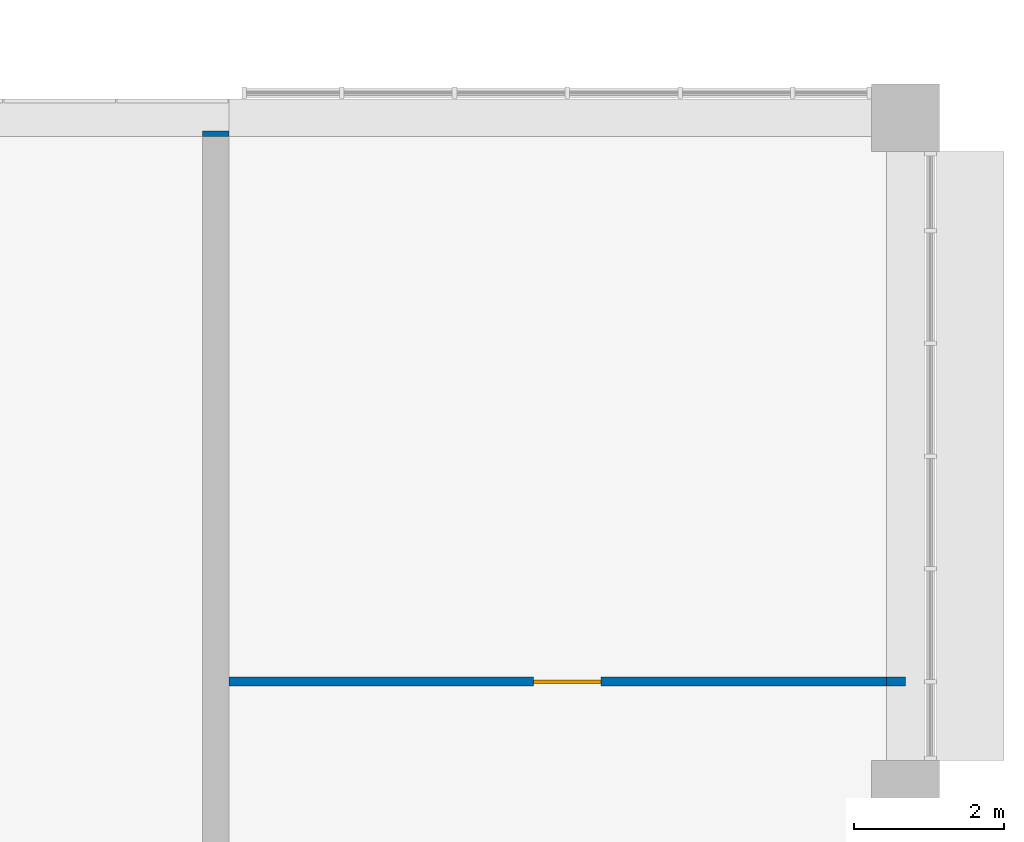
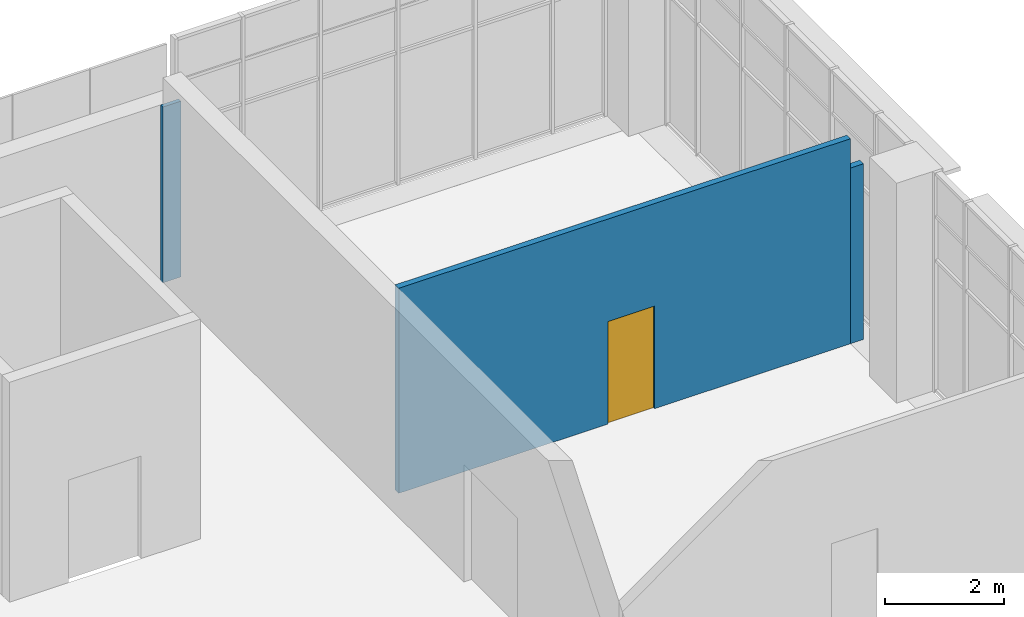
# One storey, part 60 of 79: 3 walls, 1 door, 1 opening.
"""IFC4 building model written with IfcOpenShell, lengths in metres."""

from ifc_helpers import new_model, si_unit, direction, frame, frame_2d, origin, place, context, subcontext, project, spatial, rectangle, extrude, material, layer, layer_set, type_object, element, fill, save


model = new_model("IFC4")

# Units and contexts
model_context = context("Model", 3, precision=1e-05, world=origin(), true_north=direction((0.0, 1.0)))
body_context = subcontext(model_context, "Body", "Model", "MODEL_VIEW")
ifc_project = project(units=[si_unit("LENGTHUNIT", "METRE"), si_unit("AREAUNIT", "SQUARE_METRE"), si_unit("VOLUMEUNIT", "CUBIC_METRE"), si_unit("PLANEANGLEUNIT", "RADIAN"), si_unit("MASSUNIT", "GRAM", prefix="KILO")], contexts=[model_context])

# Site, building, storey
site_placement = place(None, origin())
site = spatial("IfcSite", under=ifc_project, at=site_placement, CompositionType="ELEMENT")
building_placement = place(site_placement, origin())
building = spatial("IfcBuilding", under=site, at=building_placement, Name="Guidao Yard Department Store", CompositionType="ELEMENT")
storey_placement = place(building_placement, frame((0.0, 0.0, 15.0)))
storey = spatial("IfcBuildingStorey", under=building, at=storey_placement, Name="L03", CompositionType="ELEMENT", Elevation=15.0)

# Wall, opening, door
ifc_material_1 = material(Name="Gypsum Board")
ifc_layer_1 = layer(ifc_material_1, 0.1201171875)
ifc_layer_set_1 = layer_set([ifc_layer_1], Name="Partition 120 Gypsum Board EI 45")
wall_type_1 = type_object("IfcWallType", Name="Partition 120 Gypsum Board EI 45", PredefinedType="PARTITIONING", material=ifc_layer_set_1)
wall_1_placement = place(storey_placement, frame((162.0, 19.5, 0.0), z_axis=(0.0, 0.0, 1.0), x_axis=(1.0, 0.0, 0.0)))
wall_1 = element("IfcWall", 1, at=wall_1_placement, inside=storey, type_object=wall_type_1, Name="pt.wall.L03.0012", PredefinedType="PARTITIONING", context=body_context, shape_type="SweptSolid", body=[
    extrude(rectangle(XDim=8.75, YDim=0.1201171875, at=frame_2d((4.375, 0.0))), origin(), (0.0, 0.0, 1.0), 4.199951171875),
])
opening_placement = place(wall_1_placement, frame((4.949951171875, 0.0, 0.0), z_axis=(0.0, 0.0, 1.0), x_axis=(-1.0, 0.0, 0.0)))
opening = element("IfcOpeningElement", 2, at=opening_placement, cuts=wall_1, Name="Opening L03-417", PredefinedType="OPENING", context=body_context, shape_type="SweptSolid", body=[
    extrude(rectangle(XDim=0.89990234375, YDim=2.10009765625, at=frame_2d((0.449951171875, 1.050048828125))), frame((0.0, 0.070068359375, 0.0), z_axis=(0.0, -1.0, 0.0), x_axis=(1.0, 0.0, 0.0)), (0.0, 0.0, 1.0), 0.14013671875),
])
ifc_material_2 = material(Name="Timber door leaf with Steel Q235 frame", Category="steel")
door_type = type_object("IfcDoorType", Name="Door 900 x 2100 NOT RATED Single Leaf", OperationType="SINGLE_SWING_LEFT", PredefinedType="DOOR", material=ifc_material_2)
door_placement = place(opening_placement, origin())
door = element("IfcDoor", 3, at=door_placement, inside=storey, type_object=door_type, Name="Door L03-417", OperationType="SINGLE_SWING_LEFT", OverallHeight=2.10009765625, OverallWidth=0.89990234375, PredefinedType="DOOR", context=body_context, shape_type="SweptSolid", body=[
    extrude(rectangle(XDim=0.89990234375, YDim=2.10009765625, at=frame_2d((0.449951171875, 1.050048828125))), frame((0.0, 0.02490234375, 0.0), z_axis=(0.0, -1.0, 0.0), x_axis=(1.0, 0.0, 0.0)), (0.0, 0.0, 1.0), 0.050048828125),
])
fill(opening, door)

# Walls
wall_2_placement = place(storey_placement, frame((170.75, 19.5, 0.0), z_axis=(0.0, 0.0, 1.0), x_axis=(1.0, 0.0, 0.0)))
element("IfcWall", 4, at=wall_2_placement, inside=storey, type_object=wall_type_1, Name="pt.wall.L03.0012a", PredefinedType="PARTITIONING", context=body_context, shape_type="SweptSolid", body=[
    extrude(rectangle(XDim=0.25, YDim=0.1201171875, at=frame_2d((0.125, 0.0))), origin(), (0.0, 0.0, 1.0), 3.60009765625),
])
ifc_material_3 = material(Name="Concrete C50", Category="concrete")
ifc_layer_2 = layer(ifc_material_3, 0.35009765625)
ifc_layer_set_2 = layer_set([ifc_layer_2], Name="Shear Wall 350 Concrete C50")
wall_type_2 = type_object("IfcWallType", Name="Shear Wall 350 Concrete C50", PredefinedType="SHEAR", material=ifc_layer_set_2)
wall_3_placement = place(storey_placement, frame((161.824951171875, 26.75, 0.0), z_axis=(0.0, 0.0, 1.0), x_axis=(0.0, 1.0, 0.0)))
element("IfcWall", 5, at=wall_3_placement, inside=storey, type_object=wall_type_2, Name="pt.wall.L03.0029a", PredefinedType="SHEAR", context=body_context, shape_type="SweptSolid", body=[
    extrude(rectangle(XDim=0.074951171875, YDim=0.35009765625, at=frame_2d((0.03759765625, 0.0))), origin(), (0.0, 0.0, 1.0), 3.60009765625),
])

save(model, "model.ifc")
